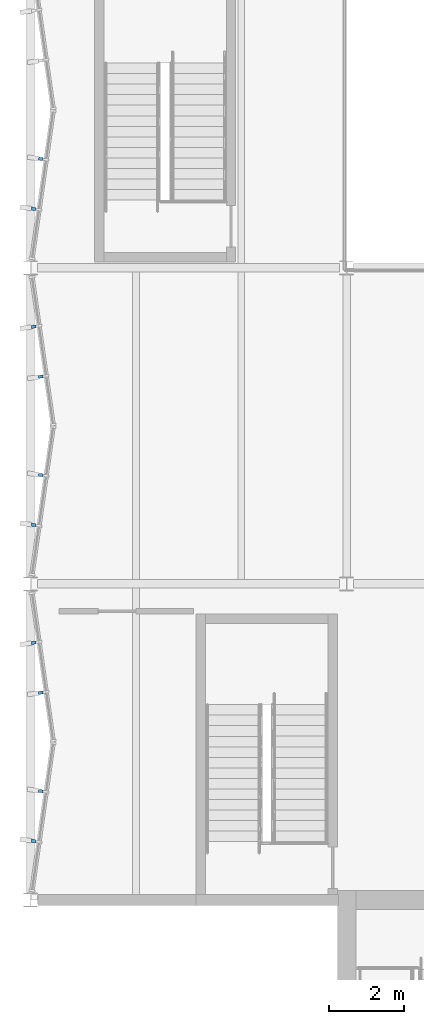
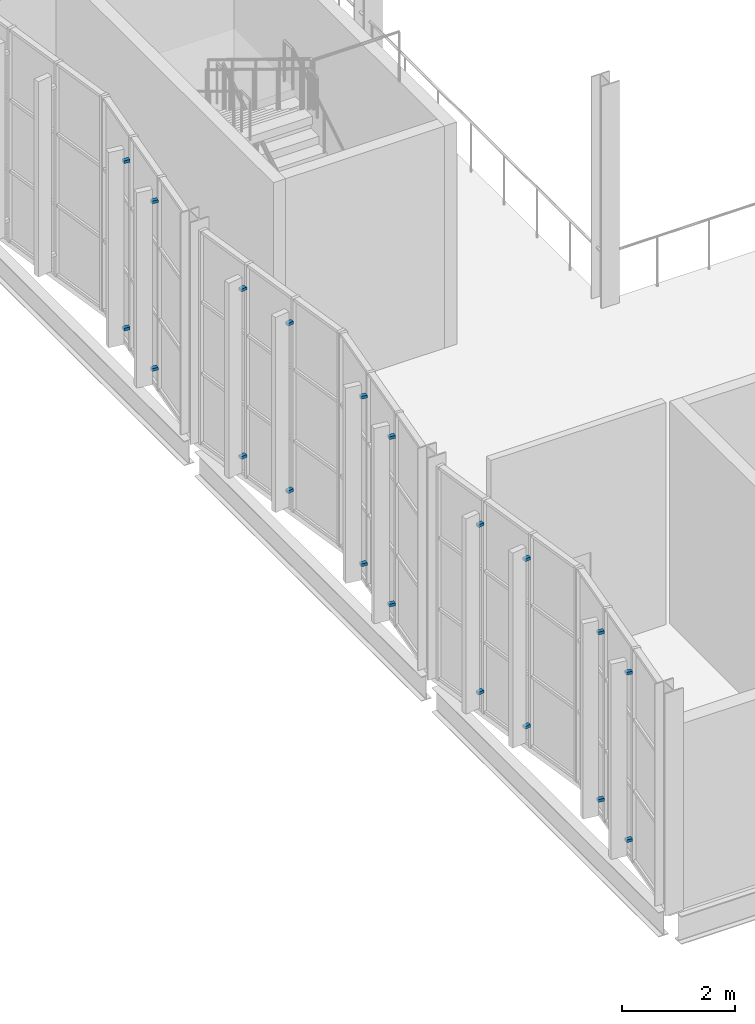
# One storey, part 90 of 127: 20 discrete accessories.
"""IFC4 building model written with IfcOpenShell, lengths in metres."""

import ifcopenshell
import ifcopenshell.guid

model = None  # the IFC model being written
_history = None  # IfcOwnerHistory: only IFC2X3 demands one
_inside = {}  # id of a spatial element -> (the spatial element, [elements in it])
_under = {}  # id of a project, library or spatial element -> (it, [spatial elements below it])
_declared = {}  # id of a project -> (the project, [libraries it declares])
_typed = {}  # id of a type object -> (the type object, [elements of that type])
_made_of = {}  # id of a material, layer set ... -> (it, [elements and type objects made of it])


def new_model(schema):
    """Start an empty IFC model of exactly this schema.

    Asked for "IFC4X3", IfcOpenShell would pick the latest addendum, in which some entities
    have other attributes; the version numbers below select the first issue.
    IFC2X3 requires an IfcOwnerHistory on every rooted entity: one is made here for all.
    """
    global model, _history
    if schema == "IFC4X3":
        model = ifcopenshell.file(schema_version=(4, 3, 0, 0))
    else:
        model = ifcopenshell.file(schema=schema)
    _inside.clear()
    _under.clear()
    _declared.clear()
    _typed.clear()
    _made_of.clear()
    _history = None
    if model.schema == "IFC2X3":
        org = make("IfcOrganization", Name="unknown")
        user = make(
            "IfcPersonAndOrganization",
            ThePerson=make("IfcPerson", FamilyName="unknown"),
            TheOrganization=org,
        )
        app = make(
            "IfcApplication",
            ApplicationDeveloper=org,
            Version="unknown",
            ApplicationFullName="unknown",
            ApplicationIdentifier="unknown",
        )
        _history = make(
            "IfcOwnerHistory",
            OwningUser=user,
            OwningApplication=app,
            ChangeAction="ADDED",
            CreationDate=0,
        )
    return model


def make(cls, **values):
    """One entity of the class cls with the attributes given. An attribute that is None is left unset."""
    return model.create_entity(
        cls, **{name: value for name, value in values.items() if value is not None}
    )


def rooted(cls, **values):
    """An entity with a GlobalId (a new one), such as an element, a storey or a relation."""
    return make(cls, GlobalId=ifcopenshell.guid.new(), OwnerHistory=_history, **values)


def si_unit(unit_type, name, prefix=None):
    """IfcSIUnit, for example si_unit("LENGTHUNIT", "METRE", prefix="MILLI")."""
    return make("IfcSIUnit", UnitType=unit_type, Prefix=prefix, Name=name)


def assignment(units):
    """IfcUnitAssignment: the units of a project."""
    return None if units is None else make("IfcUnitAssignment", Units=units)


def point(xyz):
    """IfcCartesianPoint."""
    return None if xyz is None else make("IfcCartesianPoint", Coordinates=xyz)


def direction(xyz):
    """IfcDirection."""
    return None if xyz is None else make("IfcDirection", DirectionRatios=xyz)


def frame(location, z_axis=None, x_axis=None):
    """IfcAxis2Placement3D, a coordinate frame: its origin and axes. An axis left out is left unset."""
    return make(
        "IfcAxis2Placement3D",
        Location=point(location),
        Axis=direction(z_axis),
        RefDirection=direction(x_axis),
    )


def frame_2d(location, x_axis=None):
    """IfcAxis2Placement2D, a coordinate frame in the plane: its origin and x axis."""
    return make(
        "IfcAxis2Placement2D", Location=point(location), RefDirection=direction(x_axis)
    )


def origin():
    """The frame at (0, 0, 0) with its axes left unset."""
    return frame((0.0, 0.0, 0.0))


def origin_2d():
    """The frame at (0, 0) in the plane with its x axis left unset."""
    return frame_2d((0.0, 0.0))


def place(relative_to, where):
    """IfcLocalPlacement: puts the frame where relative to a parent placement (None: the world)."""
    return make(
        "IfcLocalPlacement", PlacementRelTo=relative_to, RelativePlacement=where
    )


def context(
    kind, dimensions, precision=None, world=None, true_north=None, identifier=None
):
    """IfcGeometricRepresentationContext, for example the 3D "Model" context."""
    return make(
        "IfcGeometricRepresentationContext",
        ContextIdentifier=identifier,
        ContextType=kind,
        CoordinateSpaceDimension=dimensions,
        Precision=precision,
        WorldCoordinateSystem=world,
        TrueNorth=true_north,
    )


def subcontext(parent, identifier, kind, view, scale=None):
    """IfcGeometricRepresentationSubContext, for example "Body" below "Model"."""
    return make(
        "IfcGeometricRepresentationSubContext",
        ContextIdentifier=identifier,
        ContextType=kind,
        ParentContext=parent,
        TargetScale=scale,
        TargetView=view,
    )


def project(units=None, contexts=None):
    """IfcProject with its units and contexts."""
    return rooted(
        "IfcProject",
        Name="project",
        RepresentationContexts=contexts,
        UnitsInContext=assignment(units),
    )


def spatial(cls, under=None, at=None, **own):
    """A site, building, storey or space (cls), placed at a placement, below another one or the project."""
    s = rooted(cls, ObjectPlacement=at, **own)
    if under is not None:
        _under.setdefault(under.id(), (under, []))[1].append(s)
    return s


def profile(cls, at=None, kind="AREA", **sizes):
    """A parametric profile (cls). Its sizes go by their IFC names, for example OverallWidth=200.0."""
    return make(cls, ProfileType=kind, Position=at, **sizes)


def rectangle(**sizes):
    """IfcRectangleProfileDef."""
    return profile("IfcRectangleProfileDef", **sizes)


def extrude(swept, where, along, depth):
    """IfcExtrudedAreaSolid: the profile swept, set in the frame where, extruded along a direction by depth."""
    return make(
        "IfcExtrudedAreaSolid",
        SweptArea=swept,
        Position=where,
        ExtrudedDirection=direction(along),
        Depth=depth,
    )


def shape(context_of_items, identifier, shape_type, items):
    """IfcShapeRepresentation: the items that make up one representation, for example the "Body"."""
    return make(
        "IfcShapeRepresentation",
        ContextOfItems=context_of_items,
        RepresentationIdentifier=identifier,
        RepresentationType=shape_type,
        Items=items,
    )


def material(Name=None, Category=None):
    """IfcMaterial."""
    return make("IfcMaterial", Name=Name, Category=Category)


def made_of(thing, what):
    """Note that an element or type object is made of a material, layer set ...; save() writes the relation."""
    if what is not None:
        _made_of.setdefault(what.id(), (what, []))[1].append(thing)
    return thing


def type_object(cls, material=None, **own):
    """A type object (cls), such as IfcWallType, which elements share."""
    return made_of(rooted(cls, **own), material)


def element(
    cls,
    number,
    at=None,
    inside=None,
    cuts=None,
    type_object=None,
    material=None,
    context=None,
    identifier="Body",
    shape_type=None,
    held_by="IfcProductDefinitionShape",
    body=None,
    shapes=None,
    **own,
):
    """One element of the class cls, such as IfcWall. Its Tag is "e" and its number.

    at: its placement. inside: the storey or other place that contains it. cuts: it is an
    opening in that element (IfcRelVoidsElement). A single representation is given by context,
    identifier, shape_type and body (its items); several are given by shapes. held_by: the class
    of the entity that holds the representations. save() writes the other relations.
    """
    e = rooted(cls, Tag="e%d" % number, ObjectPlacement=at, **own)
    if body is not None:
        shapes = [shape(context, identifier, shape_type, body)]
    if shapes is not None:
        e.Representation = make(held_by, Representations=shapes)
    if inside is not None:
        _inside.setdefault(inside.id(), (inside, []))[1].append(e)
    if cuts is not None:
        rooted(
            "IfcRelVoidsElement", RelatingBuildingElement=cuts, RelatedOpeningElement=e
        )
    if type_object is not None:
        _typed.setdefault(type_object.id(), (type_object, []))[1].append(e)
    return made_of(e, material)


def aggregate(whole, parts):
    """IfcRelAggregates: a whole, such as a stair, and the parts it consists of."""
    return rooted("IfcRelAggregates", RelatingObject=whole, RelatedObjects=parts)


def save(model, path):
    """Write the relations noted so far, then the file.

    IfcRelAggregates (storeys below a building ...), IfcRelContainedInSpatialStructure (elements
    in a storey), IfcRelDefinesByType, IfcRelAssociatesMaterial and IfcRelDeclares: one each for
    every whole, place, type object, material and project.
    """
    for whole, parts in _under.values():
        aggregate(whole, parts)
    for where, things in _inside.values():
        rooted(
            "IfcRelContainedInSpatialStructure",
            RelatedElements=things,
            RelatingStructure=where,
        )
    for kind, things in _typed.values():
        rooted("IfcRelDefinesByType", RelatedObjects=things, RelatingType=kind)
    for what, things in _made_of.values():
        rooted("IfcRelAssociatesMaterial", RelatedObjects=things, RelatingMaterial=what)
    for by, libraries in _declared.values():
        rooted("IfcRelDeclares", RelatingContext=by, RelatedDefinitions=libraries)
    model.write(path)


model = new_model("IFC4")

# Units and contexts
model_context = context("Model", 3, precision=1e-05, world=origin(), true_north=direction((0.0, 1.0)))
body_context = subcontext(model_context, "Body", "Model", "MODEL_VIEW")
ifc_project = project(units=[si_unit("LENGTHUNIT", "METRE"), si_unit("AREAUNIT", "SQUARE_METRE"), si_unit("VOLUMEUNIT", "CUBIC_METRE"), si_unit("PLANEANGLEUNIT", "RADIAN"), si_unit("MASSUNIT", "GRAM", prefix="KILO")], contexts=[model_context])

# Site, building, storey
site_placement = place(None, origin())
site = spatial("IfcSite", under=ifc_project, at=site_placement, CompositionType="ELEMENT")
building_placement = place(site_placement, origin())
building = spatial("IfcBuilding", under=site, at=building_placement, Name="Ljudholm Concert House", CompositionType="ELEMENT")
storey_placement = place(building_placement, frame((0.0, 0.0, 5.39990234375)))
storey = spatial("IfcBuildingStorey", under=building, at=storey_placement, Name="L01", CompositionType="ELEMENT", Elevation=5.39990234375)

# Discrete accessories
ifc_material = material(Name="Stainless steel bracket", Category="steel")
discrete_accessory_type = type_object("IfcDiscreteAccessoryType", Name="BRACKET 120", PredefinedType="BRACKET", material=ifc_material)
for number, where, z_axis, x_axis, name in (
    (1, (4.08203125, 47.56494140625, 0.469970703125), (0.0, 0.0, 1.0), (-0.989949493662, 0.141421356235, 0.0), "Fin bracket"),
    (2, (4.08203125, 47.56494140625, 4.090087890625), (0.0, 0.0, 1.0), (-0.989949493662, 0.141421356235, 0.0), "Fin bracket"),
    (3, (4.271728515625, 48.892333984375, 0.469970703125), (0.0, 0.0, 1.0), (-0.989949493662, 0.141421356235, 0.0), "Fin bracket"),
    (4, (4.271728515625, 48.892333984375, 4.090087890625), (0.0, 0.0, 1.0), (-0.989949493662, 0.141421356235, 0.0), "Fin bracket"),
    (5, (4.271728515625, 51.507568359375, 0.469970703125), (0.0, 0.0, 1.0), (-0.989949493662, -0.141421356235, 0.0), "Fin bracket"),
    (6, (4.271728515625, 51.507568359375, 4.090087890625), (0.0, 0.0, 1.0), (-0.989949493662, -0.141421356235, 0.0), "Fin bracket"),
    (7, (4.08203125, 52.8349609375, 0.469970703125), (0.0, 0.0, 1.0), (-0.989949493662, -0.141421356235, 0.0), "Fin bracket"),
    (8, (4.08203125, 52.8349609375, 4.090087890625), (0.0, 0.0, 1.0), (-0.989949493662, -0.141421356235, 0.0), "Fin bracket"),
    (9, (4.08203125, 55.965087890625, 0.469970703125), (0.0, 0.0, 1.0), (-0.989949493662, 0.141421356235, 0.0), "Fin bracket"),
    (10, (4.08203125, 55.965087890625, 4.090087890625), (0.0, 0.0, 1.0), (-0.989949493662, 0.141421356235, 0.0), "Fin bracket"),
    (11, (4.271728515625, 57.29248046875, 0.469970703125), (0.0, 0.0, 1.0), (-0.989949493662, 0.141421356235, 0.0), "Fin bracket"),
    (12, (4.271728515625, 57.29248046875, 4.090087890625), (0.0, 0.0, 1.0), (-0.989949493662, 0.141421356235, 0.0), "Fin bracket"),
    (13, (4.271728515625, 59.90771484375, 0.469970703125), (0.0, 0.0, 1.0), (-0.989949493662, -0.141421356235, 0.0), "Fin bracket"),
    (14, (4.271728515625, 59.90771484375, 4.090087890625), (0.0, 0.0, 1.0), (-0.989949493662, -0.141421356235, 0.0), "Fin bracket"),
    (15, (4.08203125, 61.235107421875, 0.469970703125), (0.0, 0.0, 1.0), (-0.989949493662, -0.141421356235, 0.0), "Fin bracket"),
    (16, (4.08203125, 61.235107421875, 4.090087890625), (0.0, 0.0, 1.0), (-0.989949493662, -0.141421356235, 0.0), "Fin bracket"),
    (17, (4.08203125, 64.364990234375, 0.469970703125), (0.0, 0.0, 1.0), (-0.989949493662, 0.141421356235, 0.0), "Fin bracket"),
    (18, (4.08203125, 64.364990234375, 4.090087890625), (0.0, 0.0, 1.0), (-0.989949493662, 0.141421356235, 0.0), "Fin bracket"),
    (19, (4.271728515625, 65.6923828125, 0.469970703125), (0.0, 0.0, 1.0), (-0.989949493662, 0.141421356235, 0.0), "Fin bracket"),
    (20, (4.271728515625, 65.6923828125, 4.090087890625), (0.0, 0.0, 1.0), (-0.989949493662, 0.141421356235, 0.0), "Fin bracket"),
):
    element("IfcDiscreteAccessory", number, at=place(storey_placement, frame(where, z_axis=z_axis, x_axis=x_axis)), inside=storey, type_object=discrete_accessory_type, Name=name, PredefinedType="BRACKET", context=body_context, shape_type="SweptSolid", body=[
        extrude(rectangle(XDim=0.1201171875, YDim=0.080078125, at=origin_2d()), origin(), (0.0, 0.0, 1.0), 0.06005859375),
    ])

save(model, "model.ifc")
